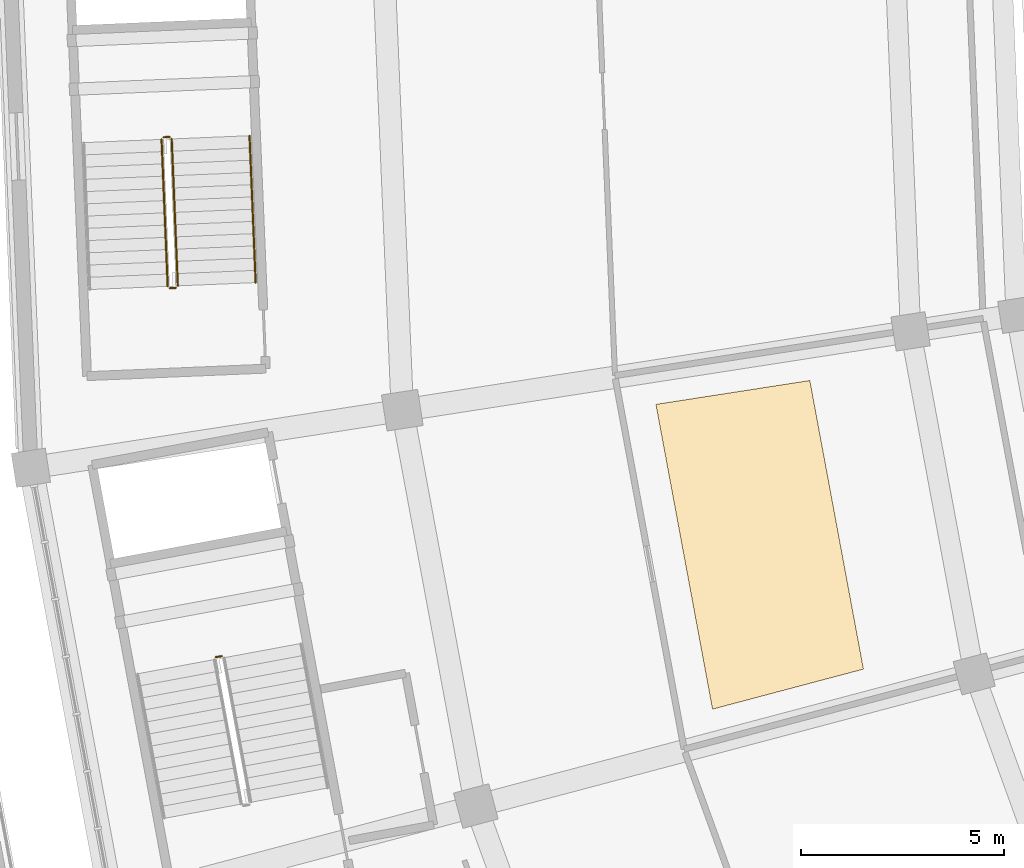
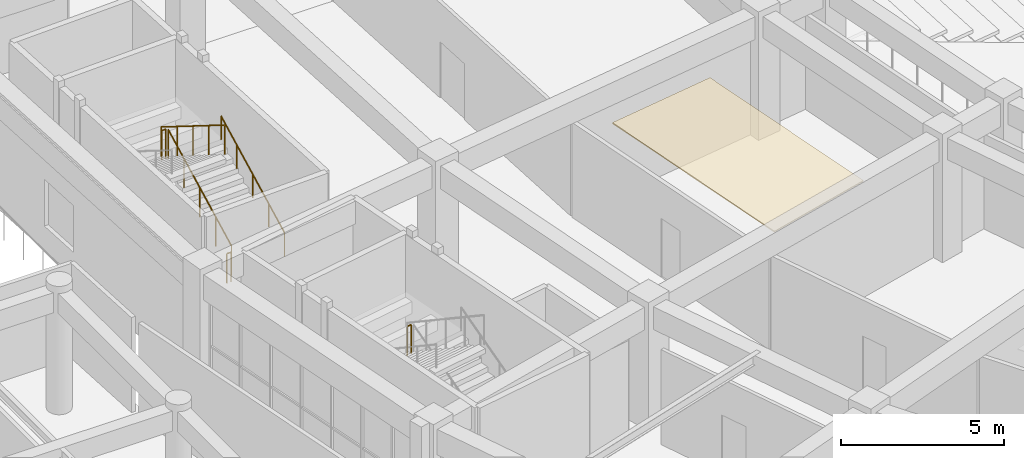
# One storey, part 128 of 152: 6 railings, 1 covering.
"""IFC4 building model written with IfcOpenShell, lengths in metres."""

from ifc_helpers import new_model, si_unit, direction, frame, origin, origin_2d, place, context, subcontext, project, spatial, polyline, circle, outline, extrude, material, layer, layer_set, type_object, element, save


model = new_model("IFC4")

# Units and contexts
model_context = context("Model", 3, precision=1e-05, world=origin(), true_north=direction((0.0, 1.0)))
body_context = subcontext(model_context, "Body", "Model", "MODEL_VIEW")
ifc_project = project(units=[si_unit("LENGTHUNIT", "METRE"), si_unit("AREAUNIT", "SQUARE_METRE"), si_unit("VOLUMEUNIT", "CUBIC_METRE"), si_unit("PLANEANGLEUNIT", "RADIAN"), si_unit("MASSUNIT", "GRAM", prefix="KILO")], contexts=[model_context])

# Site, building, storey
site_placement = place(None, origin())
site = spatial("IfcSite", under=ifc_project, at=site_placement, CompositionType="ELEMENT")
building_placement = place(site_placement, origin())
building = spatial("IfcBuilding", under=site, at=building_placement, Name="Mphavela Belvedere Stadium", CompositionType="ELEMENT")
storey_placement = place(building_placement, frame((0.0, 0.0, 5.39990234375)))
storey = spatial("IfcBuildingStorey", under=building, at=storey_placement, Name="L01", CompositionType="ELEMENT", Elevation=5.39990234375)

# Covering
ifc_material_1 = material(Name="Perforated acoustic mineral ceiling tile")
ifc_layer = layer(ifc_material_1, 0.0400390625)
ifc_layer_set = layer_set([ifc_layer], Name="Perforated acoustic mineral ceiling tile")
covering_type = type_object("IfcCoveringType", Name="COV-CEILING-ACOUSTIC", PredefinedType="CEILING", material=ifc_layer_set)
covering_placement = place(storey_placement, frame((0.0, 0.0, 3.5)))
element("IfcCovering", 1, at=covering_placement, inside=storey, type_object=covering_type, Name="Concourse acoustic ceiling L01-26", PredefinedType="CEILING", context=body_context, shape_type="SweptSolid", body=[
    extrude(outline(polyline([(32.044677734375, 73.307373046875), (33.365966796875, 66.193603515625), (29.646728515625, 65.20751953125), (28.25146484375, 72.718994140625), (32.044677734375, 73.307373046875)])), origin(), (0.0, 0.0, 1.0), 0.0400390625),
])

# Railings
ifc_material_2 = material(Name="Painted galvanised steel stair guardrail", Category="steel")
railing_type_1 = type_object("IfcRailingType", Name="RAL-GUARD-1120", PredefinedType="GUARDRAIL", material=ifc_material_2)
railing_1_placement = place(storey_placement, frame((16.467041015625, 75.640625, 0.184814453125)))
element("IfcRailing", 2, at=railing_1_placement, inside=storey, type_object=railing_type_1, Name="L01 ST-C08 stair guard 1", PredefinedType="GUARDRAIL", context=body_context, shape_type="SweptSolid", body=[
    extrude(circle(Radius=0.02392578125, at=origin_2d()), frame((0.0, 0.0, 1.09619140625), z_axis=(-0.035751677697, 0.852464842318, 0.521560648587), x_axis=(-0.999121710974, -0.041902346721, 0.0)), (0.0, 0.0, 1.0), 4.24755859375),
    extrude(circle(Radius=0.02099609375, at=origin_2d()), origin(), (0.0, 0.0, 1.0), 1.072021484375),
    extrude(circle(Radius=0.02099609375, at=origin_2d()), frame((-0.0380859375, 0.9052734375, 0.5537109375)), (0.0, 0.0, 1.0), 1.072021484375),
    extrude(circle(Radius=0.02099609375, at=origin_2d()), frame((-0.075927734375, 1.810546875, 1.107666015625)), (0.0, 0.0, 1.0), 1.072021484375),
    extrude(circle(Radius=0.02099609375, at=origin_2d()), frame((-0.11376953125, 2.715576171875, 1.66162109375)), (0.0, 0.0, 1.0), 1.072021484375),
    extrude(circle(Radius=0.02099609375, at=origin_2d()), frame((-0.15185546875, 3.620849609375, 2.21533203125)), (0.0, 0.0, 1.0), 1.072021484375),
])
railing_2_placement = place(storey_placement, frame((16.26318359375, 79.309326171875, 2.400146484375)))
element("IfcRailing", 3, at=railing_2_placement, inside=storey, type_object=railing_type_1, Name="L01 ST-C08 stair guard 2", PredefinedType="GUARDRAIL", context=body_context, shape_type="SweptSolid", body=[
    extrude(circle(Radius=0.02392578125, at=origin_2d()), frame((0.0, 0.0, 1.09619140625), z_axis=(-0.999104642697, -0.04230736272, 0.0), x_axis=(0.04230736272, -0.999104642697, 0.0)), (0.0, 0.0, 1.0), 0.150146484375),
    extrude(circle(Radius=0.02099609375, at=origin_2d()), origin(), (0.0, 0.0, 1.0), 1.072021484375),
    extrude(circle(Radius=0.02099609375, at=origin_2d()), frame((-0.14990234375, -0.00634765625, 0.0)), (0.0, 0.0, 1.0), 1.072021484375),
])
railing_3_placement = place(storey_placement, frame((16.0654296875, 79.2509765625, 2.584716796875)))
element("IfcRailing", 4, at=railing_3_placement, inside=storey, type_object=railing_type_1, Name="L01 ST-C08 stair guard 3", PredefinedType="GUARDRAIL", context=body_context, shape_type="SweptSolid", body=[
    extrude(circle(Radius=0.02392578125, at=origin_2d()), frame((0.0, 0.0, 1.09619140625), z_axis=(0.035751677697, -0.852464842318, 0.521560648587), x_axis=(0.999121710974, 0.041902346721, 0.0)), (0.0, 0.0, 1.0), 4.24755859375),
    extrude(circle(Radius=0.02099609375, at=origin_2d()), origin(), (0.0, 0.0, 1.0), 1.072021484375),
    extrude(circle(Radius=0.02099609375, at=origin_2d()), frame((0.0380859375, -0.9052734375, 0.5537109375)), (0.0, 0.0, 1.0), 1.072021484375),
    extrude(circle(Radius=0.02099609375, at=origin_2d()), frame((0.075927734375, -1.810546875, 1.107666015625)), (0.0, 0.0, 1.0), 1.072021484375),
    extrude(circle(Radius=0.02099609375, at=origin_2d()), frame((0.11376953125, -2.715576171875, 1.66162109375)), (0.0, 0.0, 1.0), 1.072021484375),
    extrude(circle(Radius=0.02099609375, at=origin_2d()), frame((0.15185546875, -3.620849609375, 2.21533203125)), (0.0, 0.0, 1.0), 1.072021484375),
])
railing_4_placement = place(storey_placement, frame((16.419189453125, 75.58837890625, 0.0)))
element("IfcRailing", 5, at=railing_4_placement, inside=storey, type_object=railing_type_1, Name="L01 ST-C08 stair guard 4", PredefinedType="GUARDRAIL", context=body_context, shape_type="SweptSolid", body=[
    extrude(circle(Radius=0.02392578125, at=origin_2d()), frame((0.0, 0.0, 1.09619140625), z_axis=(-0.999172107982, -0.040682903419, 0.0), x_axis=(0.040682903419, -0.999172107982, 0.0)), (0.0, 0.0, 1.0), 0.150146484375),
    extrude(circle(Radius=0.02099609375, at=origin_2d()), origin(), (0.0, 0.0, 1.0), 1.072021484375),
    extrude(circle(Radius=0.02099609375, at=origin_2d()), frame((-0.14990234375, -0.006103515625, 0.0)), (0.0, 0.0, 1.0), 1.072021484375),
])
railing_5_placement = place(storey_placement, frame((17.550048828125, 66.5146484375, 2.400146484375)))
element("IfcRailing", 6, at=railing_5_placement, inside=storey, type_object=railing_type_1, Name="L01 ST-C09 stair guard 2", PredefinedType="GUARDRAIL", context=body_context, shape_type="SweptSolid", body=[
    extrude(circle(Radius=0.02392578125, at=origin_2d()), frame((0.0, 0.0, 1.09619140625), z_axis=(-0.983238797529, -0.182322426032, 0.0), x_axis=(0.182322426032, -0.983238797529, 0.0)), (0.0, 0.0, 1.0), 0.14990234375),
    extrude(circle(Radius=0.02099609375, at=origin_2d()), origin(), (0.0, 0.0, 1.0), 1.072021484375),
    extrude(circle(Radius=0.02099609375, at=origin_2d()), frame((-0.1474609375, -0.02734375, 0.0)), (0.0, 0.0, 1.0), 1.072021484375),
])
ifc_material_3 = material(Name="Brushed stainless steel tubular handrail", Category="steel")
railing_type_2 = type_object("IfcRailingType", Name="RAL-HANDRAIL-900", PredefinedType="HANDRAIL", material=ifc_material_3)
railing_6_placement = place(storey_placement, frame((18.38525390625, 75.720947265625, 0.184814453125)))
element("IfcRailing", 7, at=railing_6_placement, inside=storey, type_object=railing_type_2, Name="L01 ST-C08 stair handrail 1", PredefinedType="HANDRAIL", context=body_context, shape_type="SweptSolid", body=[
    extrude(circle(Radius=0.02392578125, at=origin_2d()), frame((0.0, 0.0, 0.8759765625), z_axis=(-0.035694272407, 0.852466592692, 0.521561719513), x_axis=(-0.99912452908, -0.041835097604, 0.0)), (0.0, 0.0, 1.0), 4.24755859375),
    extrude(circle(Radius=0.02099609375, at=origin_2d()), origin(), (0.0, 0.0, 1.0), 0.851806640625),
    extrude(circle(Radius=0.02099609375, at=origin_2d()), frame((-0.037841796875, 0.9052734375, 0.5537109375)), (0.0, 0.0, 1.0), 0.851806640625),
    extrude(circle(Radius=0.02099609375, at=origin_2d()), frame((-0.07568359375, 1.810546875, 1.107666015625)), (0.0, 0.0, 1.0), 0.851806640625),
    extrude(circle(Radius=0.02099609375, at=origin_2d()), frame((-0.11376953125, 2.715576171875, 1.66162109375)), (0.0, 0.0, 1.0), 0.851806640625),
    extrude(circle(Radius=0.02099609375, at=origin_2d()), frame((-0.151611328125, 3.620849609375, 2.21533203125)), (0.0, 0.0, 1.0), 0.851806640625),
])

save(model, "model.ifc")
